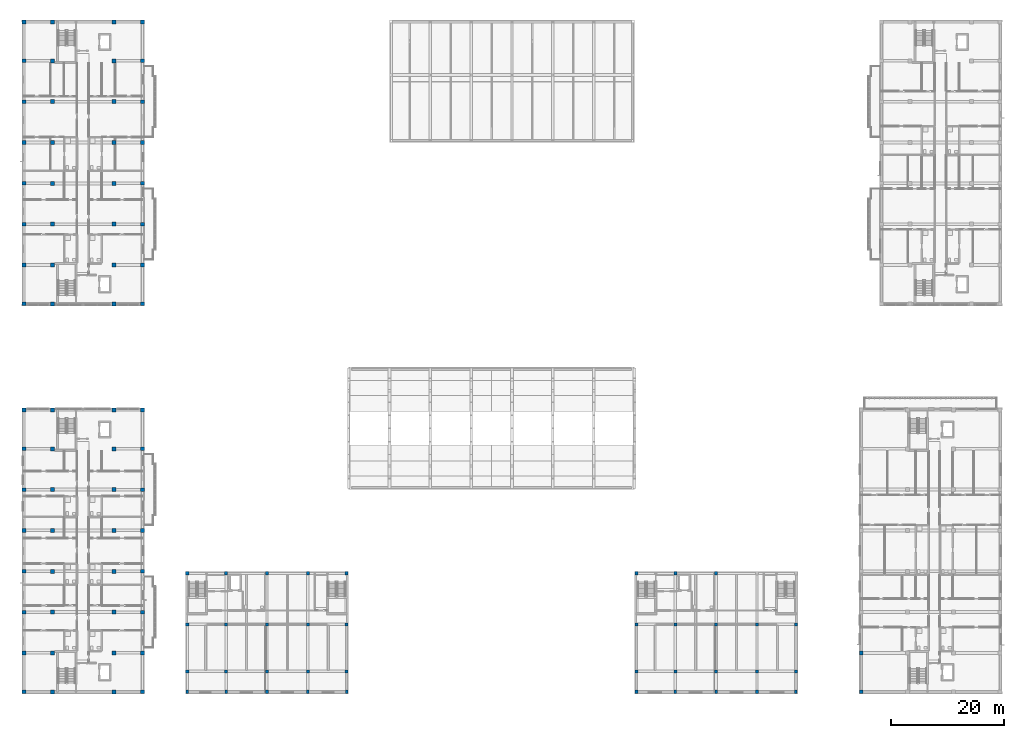
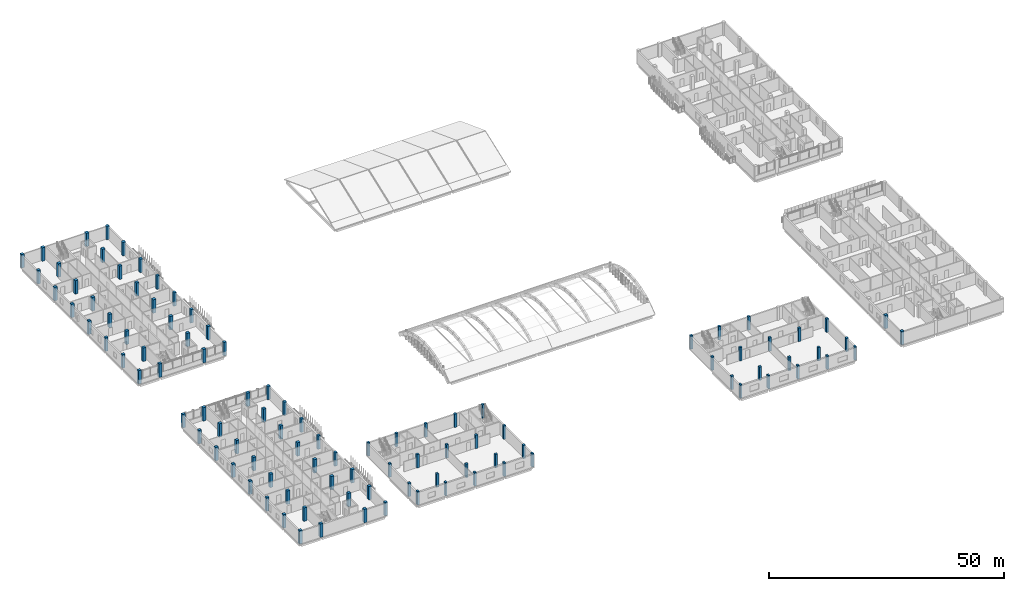
# One storey, part 1 of 73: 104 columns.
"""IFC4 building model written with IfcOpenShell, lengths in metres."""

import ifcopenshell
import ifcopenshell.guid

model = None  # the IFC model being written
_history = None  # IfcOwnerHistory: only IFC2X3 demands one
_inside = {}  # id of a spatial element -> (the spatial element, [elements in it])
_under = {}  # id of a project, library or spatial element -> (it, [spatial elements below it])
_declared = {}  # id of a project -> (the project, [libraries it declares])
_typed = {}  # id of a type object -> (the type object, [elements of that type])
_made_of = {}  # id of a material, layer set ... -> (it, [elements and type objects made of it])


def new_model(schema):
    """Start an empty IFC model of exactly this schema.

    Asked for "IFC4X3", IfcOpenShell would pick the latest addendum, in which some entities
    have other attributes; the version numbers below select the first issue.
    IFC2X3 requires an IfcOwnerHistory on every rooted entity: one is made here for all.
    """
    global model, _history
    if schema == "IFC4X3":
        model = ifcopenshell.file(schema_version=(4, 3, 0, 0))
    else:
        model = ifcopenshell.file(schema=schema)
    _inside.clear()
    _under.clear()
    _declared.clear()
    _typed.clear()
    _made_of.clear()
    _history = None
    if model.schema == "IFC2X3":
        org = make("IfcOrganization", Name="unknown")
        user = make(
            "IfcPersonAndOrganization",
            ThePerson=make("IfcPerson", FamilyName="unknown"),
            TheOrganization=org,
        )
        app = make(
            "IfcApplication",
            ApplicationDeveloper=org,
            Version="unknown",
            ApplicationFullName="unknown",
            ApplicationIdentifier="unknown",
        )
        _history = make(
            "IfcOwnerHistory",
            OwningUser=user,
            OwningApplication=app,
            ChangeAction="ADDED",
            CreationDate=0,
        )
    return model


def make(cls, **values):
    """One entity of the class cls with the attributes given. An attribute that is None is left unset."""
    return model.create_entity(
        cls, **{name: value for name, value in values.items() if value is not None}
    )


def rooted(cls, **values):
    """An entity with a GlobalId (a new one), such as an element, a storey or a relation."""
    return make(cls, GlobalId=ifcopenshell.guid.new(), OwnerHistory=_history, **values)


def si_unit(unit_type, name, prefix=None):
    """IfcSIUnit, for example si_unit("LENGTHUNIT", "METRE", prefix="MILLI")."""
    return make("IfcSIUnit", UnitType=unit_type, Prefix=prefix, Name=name)


def derived_unit(unit_type, elements):
    """IfcDerivedUnit: a product of units, each with its exponent."""
    return make(
        "IfcDerivedUnit",
        Elements=[
            make("IfcDerivedUnitElement", Unit=unit, Exponent=power)
            for unit, power in elements
        ],
        UnitType=unit_type,
    )


def assignment(units):
    """IfcUnitAssignment: the units of a project."""
    return None if units is None else make("IfcUnitAssignment", Units=units)


def point(xyz):
    """IfcCartesianPoint."""
    return None if xyz is None else make("IfcCartesianPoint", Coordinates=xyz)


def direction(xyz):
    """IfcDirection."""
    return None if xyz is None else make("IfcDirection", DirectionRatios=xyz)


def frame(location, z_axis=None, x_axis=None):
    """IfcAxis2Placement3D, a coordinate frame: its origin and axes. An axis left out is left unset."""
    return make(
        "IfcAxis2Placement3D",
        Location=point(location),
        Axis=direction(z_axis),
        RefDirection=direction(x_axis),
    )


def frame_2d(location, x_axis=None):
    """IfcAxis2Placement2D, a coordinate frame in the plane: its origin and x axis."""
    return make(
        "IfcAxis2Placement2D", Location=point(location), RefDirection=direction(x_axis)
    )


def origin():
    """The frame at (0, 0, 0) with its axes left unset."""
    return frame((0.0, 0.0, 0.0))


def origin_2d():
    """The frame at (0, 0) in the plane with its x axis left unset."""
    return frame_2d((0.0, 0.0))


def place(relative_to, where):
    """IfcLocalPlacement: puts the frame where relative to a parent placement (None: the world)."""
    return make(
        "IfcLocalPlacement", PlacementRelTo=relative_to, RelativePlacement=where
    )


def context(
    kind, dimensions, precision=None, world=None, true_north=None, identifier=None
):
    """IfcGeometricRepresentationContext, for example the 3D "Model" context."""
    return make(
        "IfcGeometricRepresentationContext",
        ContextIdentifier=identifier,
        ContextType=kind,
        CoordinateSpaceDimension=dimensions,
        Precision=precision,
        WorldCoordinateSystem=world,
        TrueNorth=true_north,
    )


def subcontext(parent, identifier, kind, view, scale=None):
    """IfcGeometricRepresentationSubContext, for example "Body" below "Model"."""
    return make(
        "IfcGeometricRepresentationSubContext",
        ContextIdentifier=identifier,
        ContextType=kind,
        ParentContext=parent,
        TargetScale=scale,
        TargetView=view,
    )


def project(units=None, contexts=None):
    """IfcProject with its units and contexts."""
    return rooted(
        "IfcProject",
        Name="project",
        RepresentationContexts=contexts,
        UnitsInContext=assignment(units),
    )


def spatial(cls, under=None, at=None, **own):
    """A site, building, storey or space (cls), placed at a placement, below another one or the project."""
    s = rooted(cls, ObjectPlacement=at, **own)
    if under is not None:
        _under.setdefault(under.id(), (under, []))[1].append(s)
    return s


def profile(cls, at=None, kind="AREA", **sizes):
    """A parametric profile (cls). Its sizes go by their IFC names, for example OverallWidth=200.0."""
    return make(cls, ProfileType=kind, Position=at, **sizes)


def rectangle(**sizes):
    """IfcRectangleProfileDef."""
    return profile("IfcRectangleProfileDef", **sizes)


def extrude(swept, where, along, depth):
    """IfcExtrudedAreaSolid: the profile swept, set in the frame where, extruded along a direction by depth."""
    return make(
        "IfcExtrudedAreaSolid",
        SweptArea=swept,
        Position=where,
        ExtrudedDirection=direction(along),
        Depth=depth,
    )


def shape(context_of_items, identifier, shape_type, items):
    """IfcShapeRepresentation: the items that make up one representation, for example the "Body"."""
    return make(
        "IfcShapeRepresentation",
        ContextOfItems=context_of_items,
        RepresentationIdentifier=identifier,
        RepresentationType=shape_type,
        Items=items,
    )


def material(Name=None, Category=None):
    """IfcMaterial."""
    return make("IfcMaterial", Name=Name, Category=Category)


def material_profile(
    of_material, cross_section, Name=None, Category=None, Priority=None
):
    """IfcMaterialProfile: a cross section and its material."""
    return make(
        "IfcMaterialProfile",
        Name=Name,
        Material=of_material,
        Profile=cross_section,
        Priority=Priority,
        Category=Category,
    )


def profile_set(profiles, Name=None, composite=None):
    """IfcMaterialProfileSet."""
    return make(
        "IfcMaterialProfileSet",
        Name=Name,
        MaterialProfiles=profiles,
        CompositeProfile=composite,
    )


def made_of(thing, what):
    """Note that an element or type object is made of a material, layer set ...; save() writes the relation."""
    if what is not None:
        _made_of.setdefault(what.id(), (what, []))[1].append(thing)
    return thing


def type_object(cls, material=None, **own):
    """A type object (cls), such as IfcWallType, which elements share."""
    return made_of(rooted(cls, **own), material)


def element(
    cls,
    number,
    at=None,
    inside=None,
    cuts=None,
    type_object=None,
    material=None,
    context=None,
    identifier="Body",
    shape_type=None,
    held_by="IfcProductDefinitionShape",
    body=None,
    shapes=None,
    **own,
):
    """One element of the class cls, such as IfcWall. Its Tag is "e" and its number.

    at: its placement. inside: the storey or other place that contains it. cuts: it is an
    opening in that element (IfcRelVoidsElement). A single representation is given by context,
    identifier, shape_type and body (its items); several are given by shapes. held_by: the class
    of the entity that holds the representations. save() writes the other relations.
    """
    e = rooted(cls, Tag="e%d" % number, ObjectPlacement=at, **own)
    if body is not None:
        shapes = [shape(context, identifier, shape_type, body)]
    if shapes is not None:
        e.Representation = make(held_by, Representations=shapes)
    if inside is not None:
        _inside.setdefault(inside.id(), (inside, []))[1].append(e)
    if cuts is not None:
        rooted(
            "IfcRelVoidsElement", RelatingBuildingElement=cuts, RelatedOpeningElement=e
        )
    if type_object is not None:
        _typed.setdefault(type_object.id(), (type_object, []))[1].append(e)
    return made_of(e, material)


def aggregate(whole, parts):
    """IfcRelAggregates: a whole, such as a stair, and the parts it consists of."""
    return rooted("IfcRelAggregates", RelatingObject=whole, RelatedObjects=parts)


def save(model, path):
    """Write the relations noted so far, then the file.

    IfcRelAggregates (storeys below a building ...), IfcRelContainedInSpatialStructure (elements
    in a storey), IfcRelDefinesByType, IfcRelAssociatesMaterial and IfcRelDeclares: one each for
    every whole, place, type object, material and project.
    """
    for whole, parts in _under.values():
        aggregate(whole, parts)
    for where, things in _inside.values():
        rooted(
            "IfcRelContainedInSpatialStructure",
            RelatedElements=things,
            RelatingStructure=where,
        )
    for kind, things in _typed.values():
        rooted("IfcRelDefinesByType", RelatedObjects=things, RelatingType=kind)
    for what, things in _made_of.values():
        rooted("IfcRelAssociatesMaterial", RelatedObjects=things, RelatingMaterial=what)
    for by, libraries in _declared.values():
        rooted("IfcRelDeclares", RelatingContext=by, RelatedDefinitions=libraries)
    model.write(path)


model = new_model("IFC4")

# Units and contexts
model_context = context("Model", 3, precision=1e-05, world=origin(), true_north=direction((0.0, 1.0)))
body_context = subcontext(model_context, "Body", "Model", "MODEL_VIEW")
ifc_project = project(units=[si_unit("LENGTHUNIT", "METRE"), si_unit("AREAUNIT", "SQUARE_METRE"), si_unit("VOLUMEUNIT", "CUBIC_METRE"), si_unit("PLANEANGLEUNIT", "RADIAN"), si_unit("MASSUNIT", "GRAM", prefix="KILO"), derived_unit("THERMALTRANSMITTANCEUNIT", [(si_unit("MASSUNIT", "GRAM", prefix="KILO"), 1), (si_unit("TIMEUNIT", "SECOND"), -3), (si_unit("THERMODYNAMICTEMPERATUREUNIT", "KELVIN"), -1)])], contexts=[model_context])

# Site, building, storey
site_placement = place(None, origin())
site = spatial("IfcSite", under=ifc_project, at=site_placement, CompositionType="ELEMENT")
building_placement = place(site_placement, origin())
building = spatial("IfcBuilding", under=site, at=building_placement, Name="Ochrekiln Boulevard Commons", CompositionType="ELEMENT")
storey_placement = place(building_placement, frame((0.0, 0.0, 8.574951171875)))
storey = spatial("IfcBuildingStorey", under=building, at=storey_placement, Name="L02", CompositionType="ELEMENT", Elevation=8.574951171875)

# Columns
ifc_material_1 = material(Name="Concrete C35/45", Category="concrete")
ifc_material_profile_1 = material_profile(ifc_material_1, rectangle(XDim=0.550048828125, YDim=0.550048828125, at=origin_2d()), Name="RC-COL-550x550")
ifc_profile_set_1 = profile_set([ifc_material_profile_1], Name="Concrete C35/45")
column_type_1 = type_object("IfcColumnType", Name="COL-RC-550", PredefinedType="COLUMN", material=ifc_profile_set_1)
for number, where, z_axis, x_axis, name in (
    (1, (29.14990234375, 3.949951171875, 0.0), (0.0, 0.0, 1.0), (1.0, 0.0, 0.0), "West Boulevard Shops and Arcade L02 Column C-550 (2)"),
    (2, (29.14990234375, 12.25, 0.0), (0.0, 0.0, 1.0), (1.0, 0.0, 0.0), "West Boulevard Shops and Arcade L02 Column C-550 (3)"),
    (3, (29.14990234375, 21.25, 0.0), (0.0, 0.0, 1.0), (1.0, 0.0, 0.0), "West Boulevard Shops and Arcade L02 Column C-550 (4)"),
    (4, (36.0, 3.949951171875, 0.0), (0.0, 0.0, 1.0), (1.0, 0.0, 0.0), "West Boulevard Shops and Arcade L02 Column C-550 (6)"),
    (5, (36.0, 12.25, 0.0), (0.0, 0.0, 1.0), (1.0, 0.0, 0.0), "West Boulevard Shops and Arcade L02 Column C-550 (7)"),
    (6, (36.0, 21.25, 0.0), (0.0, 0.0, 1.0), (1.0, 0.0, 0.0), "West Boulevard Shops and Arcade L02 Column C-550 (8)"),
    (7, (43.199951171875, 3.949951171875, 0.0), (0.0, 0.0, 1.0), (1.0, 0.0, 0.0), "West Boulevard Shops and Arcade L02 Column C-550 (10)"),
    (8, (43.199951171875, 12.25, 0.0), (0.0, 0.0, 1.0), (1.0, 0.0, 0.0), "West Boulevard Shops and Arcade L02 Column C-550 (11)"),
    (9, (43.199951171875, 21.25, 0.0), (0.0, 0.0, 1.0), (1.0, 0.0, 0.0), "West Boulevard Shops and Arcade L02 Column C-550 (12)"),
    (10, (50.39990234375, 3.949951171875, 0.0), (0.0, 0.0, 1.0), (1.0, 0.0, 0.0), "West Boulevard Shops and Arcade L02 Column C-550 (14)"),
    (11, (50.39990234375, 12.25, 0.0), (0.0, 0.0, 1.0), (1.0, 0.0, 0.0), "West Boulevard Shops and Arcade L02 Column C-550 (15)"),
    (12, (50.39990234375, 21.25, 0.0), (0.0, 0.0, 1.0), (1.0, 0.0, 0.0), "West Boulevard Shops and Arcade L02 Column C-550 (16)"),
    (13, (57.25, 3.949951171875, 0.0), (0.0, 0.0, 1.0), (1.0, 0.0, 0.0), "West Boulevard Shops and Arcade L02 Column C-550 (18)"),
    (14, (57.25, 12.25, 0.0), (0.0, 0.0, 1.0), (1.0, 0.0, 0.0), "West Boulevard Shops and Arcade L02 Column C-550 (19)"),
    (15, (57.25, 21.25, 0.0), (0.0, 0.0, 1.0), (1.0, 0.0, 0.0), "West Boulevard Shops and Arcade L02 Column C-550 (20)"),
    (16, (108.35009765625, 3.949951171875, 0.0), (0.0, 0.0, 1.0), (1.0, 0.0, 0.0), "East Boulevard Shops and Arcade L02 Column C-550 (2)"),
    (17, (108.35009765625, 12.25, 0.0), (0.0, 0.0, 1.0), (1.0, 0.0, 0.0), "East Boulevard Shops and Arcade L02 Column C-550 (3)"),
    (18, (108.35009765625, 21.25, 0.0), (0.0, 0.0, 1.0), (1.0, 0.0, 0.0), "East Boulevard Shops and Arcade L02 Column C-550 (4)"),
    (19, (115.199951171875, 3.949951171875, 0.0), (0.0, 0.0, 1.0), (1.0, 0.0, 0.0), "East Boulevard Shops and Arcade L02 Column C-550 (6)"),
    (20, (115.199951171875, 12.25, 0.0), (0.0, 0.0, 1.0), (1.0, 0.0, 0.0), "East Boulevard Shops and Arcade L02 Column C-550 (7)"),
    (21, (115.199951171875, 21.25, 0.0), (0.0, 0.0, 1.0), (1.0, 0.0, 0.0), "East Boulevard Shops and Arcade L02 Column C-550 (8)"),
    (22, (122.39990234375, 3.949951171875, 0.0), (0.0, 0.0, 1.0), (1.0, 0.0, 0.0), "East Boulevard Shops and Arcade L02 Column C-550 (10)"),
    (23, (122.39990234375, 12.25, 0.0), (0.0, 0.0, 1.0), (1.0, 0.0, 0.0), "East Boulevard Shops and Arcade L02 Column C-550 (11)"),
    (24, (122.39990234375, 21.25, 0.0), (0.0, 0.0, 1.0), (1.0, 0.0, 0.0), "East Boulevard Shops and Arcade L02 Column C-550 (12)"),
    (25, (129.60009765625, 3.949951171875, 0.0), (0.0, 0.0, 1.0), (1.0, 0.0, 0.0), "East Boulevard Shops and Arcade L02 Column C-550 (14)"),
    (26, (129.60009765625, 12.25, 0.0), (0.0, 0.0, 1.0), (1.0, 0.0, 0.0), "East Boulevard Shops and Arcade L02 Column C-550 (15)"),
    (27, (136.449951171875, 3.949951171875, 0.0), (0.0, 0.0, 1.0), (1.0, 0.0, 0.0), "East Boulevard Shops and Arcade L02 Column C-550 (18)"),
    (28, (136.449951171875, 12.25, 0.0), (0.0, 0.0, 1.0), (1.0, 0.0, 0.0), "East Boulevard Shops and Arcade L02 Column C-550 (19)"),
):
    element("IfcColumn", number, at=place(storey_placement, frame(where, z_axis=z_axis, x_axis=x_axis)), inside=storey, type_object=column_type_1, Name=name, PredefinedType="COLUMN", context=body_context, shape_type="SweptSolid", body=[
        extrude(rectangle(XDim=0.550048828125, YDim=0.550048828125, at=origin_2d()), origin(), (0.0, 0.0, 1.0), 3.5),
    ])
ifc_material_2 = material(Name="Concrete C40/50", Category="concrete")
ifc_material_profile_2 = material_profile(ifc_material_2, rectangle(XDim=0.64990234375, YDim=0.64990234375, at=origin_2d()), Name="RC-COL-650x650")
ifc_profile_set_2 = profile_set([ifc_material_profile_2], Name="Concrete C40/50")
column_type_2 = type_object("IfcColumnType", Name="COL-RC-650", PredefinedType="COLUMN", material=ifc_profile_set_2)
for number, where, z_axis, x_axis, name in (
    (29, (0.35009765625, 68.75, 0.0), (0.0, 0.0, 1.0), (1.0, 0.0, 0.0), "Block A L02 Column C-650 (1)"),
    (30, (0.35009765625, 75.60009765625, 0.0), (0.0, 0.0, 1.0), (1.0, 0.0, 0.0), "Block A L02 Column C-650 (2)"),
    (31, (0.35009765625, 82.800048828125, 0.0), (0.0, 0.0, 1.0), (1.0, 0.0, 0.0), "Block A L02 Column C-650 (3)"),
    (32, (0.35009765625, 90.0, 0.0), (0.0, 0.0, 1.0), (1.0, 0.0, 0.0), "Block A L02 Column C-650 (4)"),
    (33, (0.35009765625, 97.199951171875, 0.0), (0.0, 0.0, 1.0), (1.0, 0.0, 0.0), "Block A L02 Column C-650 (5)"),
    (34, (0.35009765625, 104.39990234375, 0.0), (0.0, 0.0, 1.0), (1.0, 0.0, 0.0), "Block A L02 Column C-650 (6)"),
    (35, (0.35009765625, 111.60009765625, 0.0), (0.0, 0.0, 1.0), (1.0, 0.0, 0.0), "Block A L02 Column C-650 (7)"),
    (36, (0.35009765625, 118.449951171875, 0.0), (0.0, 0.0, 1.0), (1.0, 0.0, 0.0), "Block A L02 Column C-650 (8)"),
    (37, (21.25, 68.75, 0.0), (0.0, 0.0, 1.0), (1.0, 0.0, 0.0), "Block A L02 Column C-650 (25)"),
    (38, (21.25, 75.60009765625, 0.0), (0.0, 0.0, 1.0), (1.0, 0.0, 0.0), "Block A L02 Column C-650 (26)"),
    (39, (21.25, 82.800048828125, 0.0), (0.0, 0.0, 1.0), (1.0, 0.0, 0.0), "Block A L02 Column C-650 (27)"),
    (40, (21.25, 90.0, 0.0), (0.0, 0.0, 1.0), (1.0, 0.0, 0.0), "Block A L02 Column C-650 (28)"),
    (41, (21.25, 97.199951171875, 0.0), (0.0, 0.0, 1.0), (1.0, 0.0, 0.0), "Block A L02 Column C-650 (29)"),
    (42, (21.25, 104.39990234375, 0.0), (0.0, 0.0, 1.0), (1.0, 0.0, 0.0), "Block A L02 Column C-650 (30)"),
    (43, (21.25, 111.60009765625, 0.0), (0.0, 0.0, 1.0), (1.0, 0.0, 0.0), "Block A L02 Column C-650 (31)"),
    (44, (21.25, 118.449951171875, 0.0), (0.0, 0.0, 1.0), (1.0, 0.0, 0.0), "Block A L02 Column C-650 (32)"),
    (45, (147.949951171875, 0.35009765625, 0.0), (0.0, 0.0, 1.0), (1.0, 0.0, 0.0), "Block C L02 Column C-650 (1)"),
    (46, (147.949951171875, 7.199951171875, 0.0), (0.0, 0.0, 1.0), (1.0, 0.0, 0.0), "Block C L02 Column C-650 (2)"),
    (47, (0.35009765625, 0.35009765625, 0.0), (0.0, 0.0, 1.0), (1.0, 0.0, 0.0), "Block D L02 Column C-650 (1)"),
    (48, (0.35009765625, 7.199951171875, 0.0), (0.0, 0.0, 1.0), (1.0, 0.0, 0.0), "Block D L02 Column C-650 (2)"),
    (49, (0.35009765625, 14.39990234375, 0.0), (0.0, 0.0, 1.0), (1.0, 0.0, 0.0), "Block D L02 Column C-650 (3)"),
    (50, (0.35009765625, 21.60009765625, 0.0), (0.0, 0.0, 1.0), (1.0, 0.0, 0.0), "Block D L02 Column C-650 (4)"),
    (51, (0.35009765625, 28.800048828125, 0.0), (0.0, 0.0, 1.0), (1.0, 0.0, 0.0), "Block D L02 Column C-650 (5)"),
    (52, (0.35009765625, 36.0, 0.0), (0.0, 0.0, 1.0), (1.0, 0.0, 0.0), "Block D L02 Column C-650 (6)"),
    (53, (0.35009765625, 43.199951171875, 0.0), (0.0, 0.0, 1.0), (1.0, 0.0, 0.0), "Block D L02 Column C-650 (7)"),
    (54, (0.35009765625, 50.050048828125, 0.0), (0.0, 0.0, 1.0), (1.0, 0.0, 0.0), "Block D L02 Column C-650 (8)"),
    (55, (21.25, 0.35009765625, 0.0), (0.0, 0.0, 1.0), (1.0, 0.0, 0.0), "Block D L02 Column C-650 (25)"),
    (56, (21.25, 7.199951171875, 0.0), (0.0, 0.0, 1.0), (1.0, 0.0, 0.0), "Block D L02 Column C-650 (26)"),
    (57, (21.25, 14.39990234375, 0.0), (0.0, 0.0, 1.0), (1.0, 0.0, 0.0), "Block D L02 Column C-650 (27)"),
    (58, (21.25, 21.60009765625, 0.0), (0.0, 0.0, 1.0), (1.0, 0.0, 0.0), "Block D L02 Column C-650 (28)"),
    (59, (21.25, 28.800048828125, 0.0), (0.0, 0.0, 1.0), (1.0, 0.0, 0.0), "Block D L02 Column C-650 (29)"),
    (60, (21.25, 36.0, 0.0), (0.0, 0.0, 1.0), (1.0, 0.0, 0.0), "Block D L02 Column C-650 (30)"),
    (61, (21.25, 43.199951171875, 0.0), (0.0, 0.0, 1.0), (1.0, 0.0, 0.0), "Block D L02 Column C-650 (31)"),
    (62, (21.25, 50.050048828125, 0.0), (0.0, 0.0, 1.0), (1.0, 0.0, 0.0), "Block D L02 Column C-650 (32)"),
):
    element("IfcColumn", number, at=place(storey_placement, frame(where, z_axis=z_axis, x_axis=x_axis)), inside=storey, type_object=column_type_2, Name=name, PredefinedType="COLUMN", context=body_context, shape_type="SweptSolid", body=[
        extrude(rectangle(XDim=0.64990234375, YDim=0.64990234375, at=origin_2d()), origin(), (0.0, 0.0, 1.0), 3.5),
    ])
ifc_material_profile_3 = material_profile(ifc_material_2, rectangle(XDim=0.699951171875, YDim=0.699951171875, at=origin_2d()), Name="RC-COL-700x700")
ifc_profile_set_3 = profile_set([ifc_material_profile_3], Name="Concrete C40/50")
column_type_3 = type_object("IfcColumnType", Name="COL-RC-700", PredefinedType="COLUMN", material=ifc_profile_set_3)
for number, where, z_axis, x_axis, name in (
    (63, (5.39990234375, 68.75, 0.0), (0.0, 0.0, 1.0), (1.0, 0.0, 0.0), "Block A L02 Column C-700 (9)"),
    (64, (5.39990234375, 75.60009765625, 0.0), (0.0, 0.0, 1.0), (1.0, 0.0, 0.0), "Block A L02 Column C-700 (10)"),
    (65, (5.39990234375, 82.800048828125, 0.0), (0.0, 0.0, 1.0), (1.0, 0.0, 0.0), "Block A L02 Column C-700 (11)"),
    (66, (5.39990234375, 90.0, 0.0), (0.0, 0.0, 1.0), (1.0, 0.0, 0.0), "Block A L02 Column C-700 (12)"),
    (67, (5.39990234375, 97.199951171875, 0.0), (0.0, 0.0, 1.0), (1.0, 0.0, 0.0), "Block A L02 Column C-700 (13)"),
    (68, (5.39990234375, 104.39990234375, 0.0), (0.0, 0.0, 1.0), (1.0, 0.0, 0.0), "Block A L02 Column C-700 (14)"),
    (69, (5.39990234375, 111.60009765625, 0.0), (0.0, 0.0, 1.0), (1.0, 0.0, 0.0), "Block A L02 Column C-700 (15)"),
    (70, (5.39990234375, 118.449951171875, 0.0), (0.0, 0.0, 1.0), (1.0, 0.0, 0.0), "Block A L02 Column C-700 (16)"),
    (71, (16.199951171875, 68.75, 0.0), (0.0, 0.0, 1.0), (1.0, 0.0, 0.0), "Block A L02 Column C-700 (17)"),
    (72, (16.199951171875, 75.60009765625, 0.0), (0.0, 0.0, 1.0), (1.0, 0.0, 0.0), "Block A L02 Column C-700 (18)"),
    (73, (16.199951171875, 82.800048828125, 0.0), (0.0, 0.0, 1.0), (1.0, 0.0, 0.0), "Block A L02 Column C-700 (19)"),
    (74, (16.199951171875, 90.0, 0.0), (0.0, 0.0, 1.0), (1.0, 0.0, 0.0), "Block A L02 Column C-700 (20)"),
    (75, (16.199951171875, 97.199951171875, 0.0), (0.0, 0.0, 1.0), (1.0, 0.0, 0.0), "Block A L02 Column C-700 (21)"),
    (76, (16.199951171875, 104.39990234375, 0.0), (0.0, 0.0, 1.0), (1.0, 0.0, 0.0), "Block A L02 Column C-700 (22)"),
    (77, (16.199951171875, 111.60009765625, 0.0), (0.0, 0.0, 1.0), (1.0, 0.0, 0.0), "Block A L02 Column C-700 (23)"),
    (78, (16.199951171875, 118.449951171875, 0.0), (0.0, 0.0, 1.0), (1.0, 0.0, 0.0), "Block A L02 Column C-700 (24)"),
    (79, (5.39990234375, 0.35009765625, 0.0), (0.0, 0.0, 1.0), (1.0, 0.0, 0.0), "Block D L02 Column C-700 (9)"),
    (80, (5.39990234375, 7.199951171875, 0.0), (0.0, 0.0, 1.0), (1.0, 0.0, 0.0), "Block D L02 Column C-700 (10)"),
    (81, (5.39990234375, 14.39990234375, 0.0), (0.0, 0.0, 1.0), (1.0, 0.0, 0.0), "Block D L02 Column C-700 (11)"),
    (82, (5.39990234375, 21.60009765625, 0.0), (0.0, 0.0, 1.0), (1.0, 0.0, 0.0), "Block D L02 Column C-700 (12)"),
    (83, (5.39990234375, 28.800048828125, 0.0), (0.0, 0.0, 1.0), (1.0, 0.0, 0.0), "Block D L02 Column C-700 (13)"),
    (84, (5.39990234375, 36.0, 0.0), (0.0, 0.0, 1.0), (1.0, 0.0, 0.0), "Block D L02 Column C-700 (14)"),
    (85, (5.39990234375, 43.199951171875, 0.0), (0.0, 0.0, 1.0), (1.0, 0.0, 0.0), "Block D L02 Column C-700 (15)"),
    (86, (5.39990234375, 50.050048828125, 0.0), (0.0, 0.0, 1.0), (1.0, 0.0, 0.0), "Block D L02 Column C-700 (16)"),
    (87, (16.199951171875, 0.35009765625, 0.0), (0.0, 0.0, 1.0), (1.0, 0.0, 0.0), "Block D L02 Column C-700 (17)"),
    (88, (16.199951171875, 7.199951171875, 0.0), (0.0, 0.0, 1.0), (1.0, 0.0, 0.0), "Block D L02 Column C-700 (18)"),
    (89, (16.199951171875, 14.39990234375, 0.0), (0.0, 0.0, 1.0), (1.0, 0.0, 0.0), "Block D L02 Column C-700 (19)"),
    (90, (16.199951171875, 21.60009765625, 0.0), (0.0, 0.0, 1.0), (1.0, 0.0, 0.0), "Block D L02 Column C-700 (20)"),
    (91, (16.199951171875, 28.800048828125, 0.0), (0.0, 0.0, 1.0), (1.0, 0.0, 0.0), "Block D L02 Column C-700 (21)"),
    (92, (16.199951171875, 36.0, 0.0), (0.0, 0.0, 1.0), (1.0, 0.0, 0.0), "Block D L02 Column C-700 (22)"),
    (93, (16.199951171875, 43.199951171875, 0.0), (0.0, 0.0, 1.0), (1.0, 0.0, 0.0), "Block D L02 Column C-700 (23)"),
    (94, (16.199951171875, 50.050048828125, 0.0), (0.0, 0.0, 1.0), (1.0, 0.0, 0.0), "Block D L02 Column C-700 (24)"),
):
    element("IfcColumn", number, at=place(storey_placement, frame(where, z_axis=z_axis, x_axis=x_axis)), inside=storey, type_object=column_type_3, Name=name, PredefinedType="COLUMN", context=body_context, shape_type="SweptSolid", body=[
        extrude(rectangle(XDim=0.699951171875, YDim=0.699951171875, at=origin_2d()), origin(), (0.0, 0.0, 1.0), 3.5),
    ])
ifc_material_profile_4 = material_profile(ifc_material_2, rectangle(XDim=0.449951171875, YDim=0.64990234375, at=origin_2d()), Name="RC-PIL-450x650")
ifc_profile_set_4 = profile_set([ifc_material_profile_4], Name="Concrete C40/50")
column_type_4 = type_object("IfcColumnType", Name="PIL-RC-450x650", PredefinedType="PILASTER", material=ifc_profile_set_4)
for number, where, z_axis, x_axis, name in (
    (95, (29.14990234375, 0.35009765625, 0.0), (0.0, 0.0, 1.0), (1.0, 0.0, 0.0), "West Boulevard Shops and Arcade L02 Column PL-4565 (1)"),
    (96, (36.0, 0.35009765625, 0.0), (0.0, 0.0, 1.0), (1.0, 0.0, 0.0), "West Boulevard Shops and Arcade L02 Column PL-4565 (5)"),
    (97, (43.199951171875, 0.35009765625, 0.0), (0.0, 0.0, 1.0), (1.0, 0.0, 0.0), "West Boulevard Shops and Arcade L02 Column PL-4565 (9)"),
    (98, (50.39990234375, 0.35009765625, 0.0), (0.0, 0.0, 1.0), (1.0, 0.0, 0.0), "West Boulevard Shops and Arcade L02 Column PL-4565 (13)"),
    (99, (57.25, 0.35009765625, 0.0), (0.0, 0.0, 1.0), (1.0, 0.0, 0.0), "West Boulevard Shops and Arcade L02 Column PL-4565 (17)"),
    (100, (108.35009765625, 0.35009765625, 0.0), (0.0, 0.0, 1.0), (1.0, 0.0, 0.0), "East Boulevard Shops and Arcade L02 Column PL-4565 (1)"),
    (101, (115.199951171875, 0.35009765625, 0.0), (0.0, 0.0, 1.0), (1.0, 0.0, 0.0), "East Boulevard Shops and Arcade L02 Column PL-4565 (5)"),
    (102, (122.39990234375, 0.35009765625, 0.0), (0.0, 0.0, 1.0), (1.0, 0.0, 0.0), "East Boulevard Shops and Arcade L02 Column PL-4565 (9)"),
    (103, (129.60009765625, 0.35009765625, 0.0), (0.0, 0.0, 1.0), (1.0, 0.0, 0.0), "East Boulevard Shops and Arcade L02 Column PL-4565 (13)"),
    (104, (136.449951171875, 0.35009765625, 0.0), (0.0, 0.0, 1.0), (1.0, 0.0, 0.0), "East Boulevard Shops and Arcade L02 Column PL-4565 (17)"),
):
    element("IfcColumn", number, at=place(storey_placement, frame(where, z_axis=z_axis, x_axis=x_axis)), inside=storey, type_object=column_type_4, Name=name, PredefinedType="PILASTER", context=body_context, shape_type="SweptSolid", body=[
        extrude(rectangle(XDim=0.449951171875, YDim=0.64990234375, at=origin_2d()), origin(), (0.0, 0.0, 1.0), 3.5),
    ])

save(model, "model.ifc")
